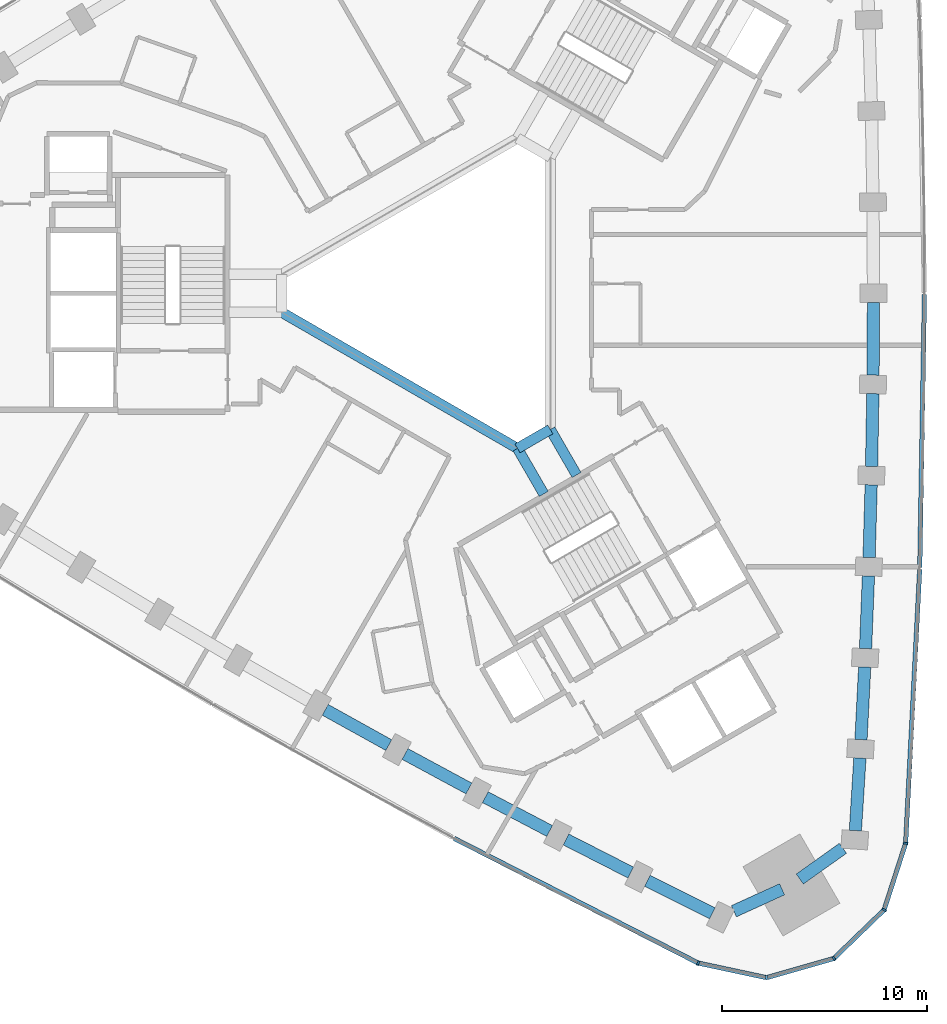
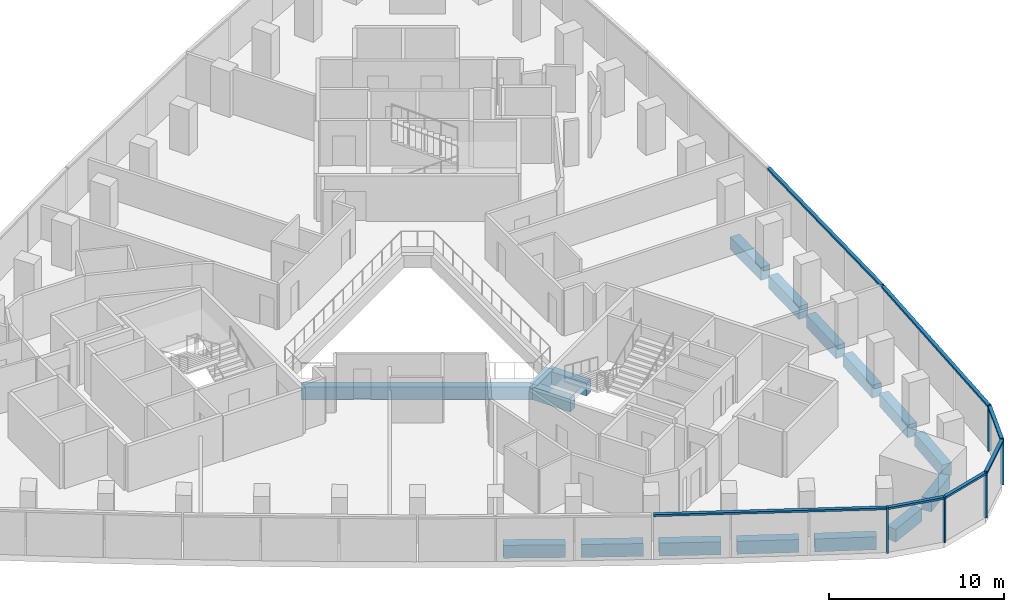
# One storey, part 3 of 12: 17 beams, 12 members, 2 elements without a shape of their own.
"""IFC4 building model written with IfcOpenShell, lengths in metres."""

import ifcopenshell
import ifcopenshell.guid

model = None  # the IFC model being written
_history = None  # IfcOwnerHistory: only IFC2X3 demands one
_inside = {}  # id of a spatial element -> (the spatial element, [elements in it])
_under = {}  # id of a project, library or spatial element -> (it, [spatial elements below it])
_declared = {}  # id of a project -> (the project, [libraries it declares])
_typed = {}  # id of a type object -> (the type object, [elements of that type])
_made_of = {}  # id of a material, layer set ... -> (it, [elements and type objects made of it])


def new_model(schema):
    """Start an empty IFC model of exactly this schema.

    Asked for "IFC4X3", IfcOpenShell would pick the latest addendum, in which some entities
    have other attributes; the version numbers below select the first issue.
    IFC2X3 requires an IfcOwnerHistory on every rooted entity: one is made here for all.
    """
    global model, _history
    if schema == "IFC4X3":
        model = ifcopenshell.file(schema_version=(4, 3, 0, 0))
    else:
        model = ifcopenshell.file(schema=schema)
    _inside.clear()
    _under.clear()
    _declared.clear()
    _typed.clear()
    _made_of.clear()
    _history = None
    if model.schema == "IFC2X3":
        org = make("IfcOrganization", Name="unknown")
        user = make(
            "IfcPersonAndOrganization",
            ThePerson=make("IfcPerson", FamilyName="unknown"),
            TheOrganization=org,
        )
        app = make(
            "IfcApplication",
            ApplicationDeveloper=org,
            Version="unknown",
            ApplicationFullName="unknown",
            ApplicationIdentifier="unknown",
        )
        _history = make(
            "IfcOwnerHistory",
            OwningUser=user,
            OwningApplication=app,
            ChangeAction="ADDED",
            CreationDate=0,
        )
    return model


def make(cls, **values):
    """One entity of the class cls with the attributes given. An attribute that is None is left unset."""
    return model.create_entity(
        cls, **{name: value for name, value in values.items() if value is not None}
    )


def rooted(cls, **values):
    """An entity with a GlobalId (a new one), such as an element, a storey or a relation."""
    return make(cls, GlobalId=ifcopenshell.guid.new(), OwnerHistory=_history, **values)


def si_unit(unit_type, name, prefix=None):
    """IfcSIUnit, for example si_unit("LENGTHUNIT", "METRE", prefix="MILLI")."""
    return make("IfcSIUnit", UnitType=unit_type, Prefix=prefix, Name=name)


def assignment(units):
    """IfcUnitAssignment: the units of a project."""
    return None if units is None else make("IfcUnitAssignment", Units=units)


def point(xyz):
    """IfcCartesianPoint."""
    return None if xyz is None else make("IfcCartesianPoint", Coordinates=xyz)


def direction(xyz):
    """IfcDirection."""
    return None if xyz is None else make("IfcDirection", DirectionRatios=xyz)


def frame(location, z_axis=None, x_axis=None):
    """IfcAxis2Placement3D, a coordinate frame: its origin and axes. An axis left out is left unset."""
    return make(
        "IfcAxis2Placement3D",
        Location=point(location),
        Axis=direction(z_axis),
        RefDirection=direction(x_axis),
    )


def frame_2d(location, x_axis=None):
    """IfcAxis2Placement2D, a coordinate frame in the plane: its origin and x axis."""
    return make(
        "IfcAxis2Placement2D", Location=point(location), RefDirection=direction(x_axis)
    )


def origin():
    """The frame at (0, 0, 0) with its axes left unset."""
    return frame((0.0, 0.0, 0.0))


def origin_2d():
    """The frame at (0, 0) in the plane with its x axis left unset."""
    return frame_2d((0.0, 0.0))


def place(relative_to, where):
    """IfcLocalPlacement: puts the frame where relative to a parent placement (None: the world)."""
    return make(
        "IfcLocalPlacement", PlacementRelTo=relative_to, RelativePlacement=where
    )


def context(
    kind, dimensions, precision=None, world=None, true_north=None, identifier=None
):
    """IfcGeometricRepresentationContext, for example the 3D "Model" context."""
    return make(
        "IfcGeometricRepresentationContext",
        ContextIdentifier=identifier,
        ContextType=kind,
        CoordinateSpaceDimension=dimensions,
        Precision=precision,
        WorldCoordinateSystem=world,
        TrueNorth=true_north,
    )


def subcontext(parent, identifier, kind, view, scale=None):
    """IfcGeometricRepresentationSubContext, for example "Body" below "Model"."""
    return make(
        "IfcGeometricRepresentationSubContext",
        ContextIdentifier=identifier,
        ContextType=kind,
        ParentContext=parent,
        TargetScale=scale,
        TargetView=view,
    )


def project(units=None, contexts=None):
    """IfcProject with its units and contexts."""
    return rooted(
        "IfcProject",
        Name="project",
        RepresentationContexts=contexts,
        UnitsInContext=assignment(units),
    )


def spatial(cls, under=None, at=None, **own):
    """A site, building, storey or space (cls), placed at a placement, below another one or the project."""
    s = rooted(cls, ObjectPlacement=at, **own)
    if under is not None:
        _under.setdefault(under.id(), (under, []))[1].append(s)
    return s


def profile(cls, at=None, kind="AREA", **sizes):
    """A parametric profile (cls). Its sizes go by their IFC names, for example OverallWidth=200.0."""
    return make(cls, ProfileType=kind, Position=at, **sizes)


def rectangle(**sizes):
    """IfcRectangleProfileDef."""
    return profile("IfcRectangleProfileDef", **sizes)


def extrude(swept, where, along, depth):
    """IfcExtrudedAreaSolid: the profile swept, set in the frame where, extruded along a direction by depth."""
    return make(
        "IfcExtrudedAreaSolid",
        SweptArea=swept,
        Position=where,
        ExtrudedDirection=direction(along),
        Depth=depth,
    )


def shape(context_of_items, identifier, shape_type, items):
    """IfcShapeRepresentation: the items that make up one representation, for example the "Body"."""
    return make(
        "IfcShapeRepresentation",
        ContextOfItems=context_of_items,
        RepresentationIdentifier=identifier,
        RepresentationType=shape_type,
        Items=items,
    )


def material(Name=None, Category=None):
    """IfcMaterial."""
    return make("IfcMaterial", Name=Name, Category=Category)


def material_profile(
    of_material, cross_section, Name=None, Category=None, Priority=None
):
    """IfcMaterialProfile: a cross section and its material."""
    return make(
        "IfcMaterialProfile",
        Name=Name,
        Material=of_material,
        Profile=cross_section,
        Priority=Priority,
        Category=Category,
    )


def profile_set(profiles, Name=None, composite=None):
    """IfcMaterialProfileSet."""
    return make(
        "IfcMaterialProfileSet",
        Name=Name,
        MaterialProfiles=profiles,
        CompositeProfile=composite,
    )


def made_of(thing, what):
    """Note that an element or type object is made of a material, layer set ...; save() writes the relation."""
    if what is not None:
        _made_of.setdefault(what.id(), (what, []))[1].append(thing)
    return thing


def type_object(cls, material=None, **own):
    """A type object (cls), such as IfcWallType, which elements share."""
    return made_of(rooted(cls, **own), material)


def element(
    cls,
    number,
    at=None,
    inside=None,
    cuts=None,
    type_object=None,
    material=None,
    context=None,
    identifier="Body",
    shape_type=None,
    held_by="IfcProductDefinitionShape",
    body=None,
    shapes=None,
    **own,
):
    """One element of the class cls, such as IfcWall. Its Tag is "e" and its number.

    at: its placement. inside: the storey or other place that contains it. cuts: it is an
    opening in that element (IfcRelVoidsElement). A single representation is given by context,
    identifier, shape_type and body (its items); several are given by shapes. held_by: the class
    of the entity that holds the representations. save() writes the other relations.
    """
    e = rooted(cls, Tag="e%d" % number, ObjectPlacement=at, **own)
    if body is not None:
        shapes = [shape(context, identifier, shape_type, body)]
    if shapes is not None:
        e.Representation = make(held_by, Representations=shapes)
    if inside is not None:
        _inside.setdefault(inside.id(), (inside, []))[1].append(e)
    if cuts is not None:
        rooted(
            "IfcRelVoidsElement", RelatingBuildingElement=cuts, RelatedOpeningElement=e
        )
    if type_object is not None:
        _typed.setdefault(type_object.id(), (type_object, []))[1].append(e)
    return made_of(e, material)


def aggregate(whole, parts):
    """IfcRelAggregates: a whole, such as a stair, and the parts it consists of."""
    return rooted("IfcRelAggregates", RelatingObject=whole, RelatedObjects=parts)


def save(model, path):
    """Write the relations noted so far, then the file.

    IfcRelAggregates (storeys below a building ...), IfcRelContainedInSpatialStructure (elements
    in a storey), IfcRelDefinesByType, IfcRelAssociatesMaterial and IfcRelDeclares: one each for
    every whole, place, type object, material and project.
    """
    for whole, parts in _under.values():
        aggregate(whole, parts)
    for where, things in _inside.values():
        rooted(
            "IfcRelContainedInSpatialStructure",
            RelatedElements=things,
            RelatingStructure=where,
        )
    for kind, things in _typed.values():
        rooted("IfcRelDefinesByType", RelatedObjects=things, RelatingType=kind)
    for what, things in _made_of.values():
        rooted("IfcRelAssociatesMaterial", RelatedObjects=things, RelatingMaterial=what)
    for by, libraries in _declared.values():
        rooted("IfcRelDeclares", RelatingContext=by, RelatedDefinitions=libraries)
    model.write(path)


model = new_model("IFC4")

# Units and contexts
model_context = context("Model", 3, precision=1e-05, world=origin(), true_north=direction((0.0, 1.0)))
body_context = subcontext(model_context, "Body", "Model", "MODEL_VIEW")
ifc_project = project(units=[si_unit("LENGTHUNIT", "METRE"), si_unit("AREAUNIT", "SQUARE_METRE"), si_unit("VOLUMEUNIT", "CUBIC_METRE"), si_unit("PLANEANGLEUNIT", "RADIAN"), si_unit("MASSUNIT", "GRAM", prefix="KILO")], contexts=[model_context])

# Site, building, storey
site_placement = place(None, origin())
site = spatial("IfcSite", under=ifc_project, at=site_placement, CompositionType="ELEMENT")
building_placement = place(site_placement, origin())
building = spatial("IfcBuilding", under=site, at=building_placement, Name="Tamra Quay Hotel Tower", CompositionType="ELEMENT")
storey_placement = place(building_placement, frame((0.0, 0.0, 93.800048828125)))
storey = spatial("IfcBuildingStorey", under=building, at=storey_placement, Name="L22", CompositionType="ELEMENT", Elevation=93.800048828125)

# Beams
ifc_material_1 = material(Name="Concrete M60", Category="concrete")
ifc_material_profile_1 = material_profile(ifc_material_1, rectangle(XDim=0.5, YDim=0.89990234375, at=origin_2d()), Name="ATRIUM EDGE BEAM RC 500x900")
ifc_profile_set_1 = profile_set([ifc_material_profile_1], Name="Concrete M60")
beam_type_1 = type_object("IfcBeamType", Name="ATRIUM EDGE BEAM RC 500x900", PredefinedType="BEAM", material=ifc_profile_set_1)
beam_1_placement = place(storey_placement, frame((4.89990234375, -6.639404296875, -0.875), z_axis=(-0.865989712182, -0.500061814573, 0.0), x_axis=(0.500061814573, -0.865989712182, 0.0)))
element("IfcBeam", 1, at=beam_1_placement, inside=storey, type_object=beam_type_1, Name="BM-AB1-L22", PredefinedType="BEAM", context=body_context, shape_type="SweptSolid", body=[
    extrude(rectangle(XDim=0.5, YDim=0.89990234375, at=origin_2d()), origin(), (0.0, 0.0, 1.0), 1.847412109375),
])
beam_2_placement = place(storey_placement, frame((3.300048828125, -7.563232421875, -0.875), z_axis=(-0.866029440693, 0.499993007805, 0.0), x_axis=(-0.499993007805, -0.866029440693, 0.0)))
element("IfcBeam", 2, at=beam_2_placement, inside=storey, type_object=beam_type_1, Name="BM-AB2-L22", PredefinedType="BEAM", context=body_context, shape_type="SweptSolid", body=[
    extrude(rectangle(XDim=0.5, YDim=0.89990234375, at=origin_2d()), origin(), (0.0, 0.0, 1.0), 13.279052734375),
])
ifc_material_profile_2 = material_profile(ifc_material_1, rectangle(XDim=0.5, YDim=0.89990234375, at=origin_2d()), Name="ATRIUM TIE BEAM RC 500x900")
ifc_profile_set_2 = profile_set([ifc_material_profile_2], Name="Concrete M60")
beam_type_2 = type_object("IfcBeamType", Name="ATRIUM TIE BEAM RC 500x900", PredefinedType="BEAM", material=ifc_profile_set_2)
for number, where, z_axis, x_axis, name in (
    (3, (4.89990234375, -6.639404296875, -0.875), (0.50003311468, -0.866006284171, 0.0), (0.866006284171, 0.50003311468, 0.0), "BM-TIE-1-L22"),
    (4, (3.300048828125, -7.563232421875, -0.875), (0.499961652204, -0.866047542763, 0.0), (0.866047542763, 0.499961652204, 0.0), "BM-TIE-2-L22"),
):
    element("IfcBeam", number, at=place(storey_placement, frame(where, z_axis=z_axis, x_axis=x_axis)), inside=storey, type_object=beam_type_2, Name=name, PredefinedType="BEAM", context=body_context, shape_type="SweptSolid", body=[
        extrude(rectangle(XDim=0.5, YDim=0.89990234375, at=origin_2d()), origin(), (0.0, 0.0, 1.0), 2.562255859375),
    ])

# Curtain wall, member
ifc_material_2 = material(Name="Aluminium 6063 anodised dark grey", Category="aluminium")
curtain_wall_type_1 = type_object("IfcCurtainWallType", Name="CW1 CURTAIN WALL", PredefinedType="NOTDEFINED", material=ifc_material_2)
curtain_wall_1_placement = place(storey_placement, origin())
curtain_wall_1 = element("IfcCurtainWall", 5, at=curtain_wall_1_placement, inside=storey, type_object=curtain_wall_type_1, Name="CW1 east face L22", PredefinedType="NOTDEFINED")
ifc_material_profile_3 = material_profile(ifc_material_2, rectangle(XDim=0.219970703125, YDim=0.10009765625, at=origin_2d()), Name="MULLION 100X220")
ifc_profile_set_3 = profile_set([ifc_material_profile_3], Name="Aluminium 6063 anodised dark grey")
member_type_1 = type_object("IfcMemberType", Name="MULLION CW1 Z2", PredefinedType="MULLION", material=ifc_profile_set_3)
member_1_placement = place(storey_placement, frame((22.226318359375, -26.81787109375, 0.0), z_axis=(0.0, 0.0, 1.0), x_axis=(0.982419091866, -0.186688853275, 0.0)))
member_1 = element("IfcMember", 6, at=member_1_placement, type_object=member_type_1, Name="CW1 mullion L22.E.1", PredefinedType="MULLION", context=body_context, shape_type="SweptSolid", body=[
    extrude(rectangle(XDim=0.219970703125, YDim=0.10009765625, at=origin_2d()), origin(), (0.0, 0.0, 1.0), 3.175048828125),
])

# Curtain wall, members
curtain_wall_type_2 = type_object("IfcCurtainWallType", Name="CW3 CURTAIN WALL", PredefinedType="NOTDEFINED", material=ifc_material_2)
curtain_wall_2_placement = place(storey_placement, origin())
curtain_wall_2 = element("IfcCurtainWall", 7, at=curtain_wall_2_placement, inside=storey, type_object=curtain_wall_type_2, Name="CW3 south-west face L22", PredefinedType="NOTDEFINED")
ifc_material_profile_4 = material_profile(ifc_material_2, rectangle(XDim=0.219970703125, YDim=0.10009765625, at=origin_2d()), Name="MULLION 100X220")
ifc_profile_set_4 = profile_set([ifc_material_profile_4], Name="Aluminium 6063 anodised dark grey")
member_type_2 = type_object("IfcMemberType", Name="MULLION CW3 Z2", PredefinedType="MULLION", material=ifc_profile_set_4)
member_2_placement = place(storey_placement, frame((12.111572265625, -32.657470703125, 0.0), z_axis=(0.0, 0.0, 1.0), x_axis=(-0.329532256394, -0.944144317356, 0.0)))
member_2 = element("IfcMember", 8, at=member_2_placement, type_object=member_type_2, Name="CW3 mullion L22.SW.13", PredefinedType="MULLION", context=body_context, shape_type="SweptSolid", body=[
    extrude(rectangle(XDim=0.219970703125, YDim=0.10009765625, at=origin_2d()), origin(), (0.0, 0.0, 1.0), 3.175048828125),
])
member_3_placement = place(storey_placement, frame((15.4462890625, -33.370849609375, 0.0), z_axis=(0.0, 0.0, 1.0), x_axis=(0.03404070031, -0.999420447421, 0.0)))
member_3 = element("IfcMember", 9, at=member_3_placement, type_object=member_type_2, Name="CW3 mullion L22.SW.14", PredefinedType="MULLION", context=body_context, shape_type="SweptSolid", body=[
    extrude(rectangle(XDim=0.219970703125, YDim=0.10009765625, at=origin_2d()), origin(), (0.0, 0.0, 1.0), 3.175048828125),
])
member_4_placement = place(storey_placement, frame((18.724853515625, -32.43212890625, 0.0), z_axis=(0.0, 0.0, 1.0), x_axis=(0.5, -0.866025403784, 0.0)))
member_4 = element("IfcMember", 10, at=member_4_placement, type_object=member_type_2, Name="CW3 mullion L22.SW.15", PredefinedType="MULLION", context=body_context, shape_type="SweptSolid", body=[
    extrude(rectangle(XDim=0.219970703125, YDim=0.10009765625, at=origin_2d()), origin(), (0.0, 0.0, 1.0), 3.175048828125),
])
member_5_placement = place(storey_placement, frame((21.1767578125, -30.062255859375, 0.0), z_axis=(0.0, 0.0, 1.0), x_axis=(0.848503146373, -0.529190334941, 0.0)))
member_5 = element("IfcMember", 11, at=member_5_placement, type_object=member_type_2, Name="CW3 mullion L22.SW.16", PredefinedType="MULLION", context=body_context, shape_type="SweptSolid", body=[
    extrude(rectangle(XDim=0.219970703125, YDim=0.10009765625, at=origin_2d()), origin(), (0.0, 0.0, 1.0), 3.175048828125),
])

# Beams
ifc_material_profile_5 = material_profile(ifc_material_1, rectangle(XDim=0.60009765625, YDim=0.89990234375, at=origin_2d()), Name="SPANDREL BEAM RC 600x900")
ifc_profile_set_5 = profile_set([ifc_material_profile_5], Name="Concrete M60")
beam_type_3 = type_object("IfcBeamType", Name="SPANDREL BEAM RC 600x900", PredefinedType="SPANDREL", material=ifc_profile_set_5)
beam_3_placement = place(storey_placement, frame((19.7744140625, -26.199462890625, -0.875), z_axis=(0.062669833409, 0.99803431403, 0.0), x_axis=(-0.99803431403, 0.062669833409, 0.0)))
element("IfcBeam", 12, at=beam_3_placement, inside=storey, type_object=beam_type_3, Name="BM-SP2-000-L22", PredefinedType="SPANDREL", context=body_context, shape_type="SweptSolid", body=[
    extrude(rectangle(XDim=0.60009765625, YDim=0.89990234375, at=origin_2d()), origin(), (0.0, 0.0, 1.0), 3.545166015625),
])
beam_4_placement = place(storey_placement, frame((20.048095703125, -21.7626953125, -0.875), z_axis=(0.051311627905, 0.998682690769, 0.0), x_axis=(-0.998682690769, 0.051311627905, 0.0)))
element("IfcBeam", 13, at=beam_4_placement, inside=storey, type_object=beam_type_3, Name="BM-SP2-001-L22", PredefinedType="SPANDREL", context=body_context, shape_type="SweptSolid", body=[
    extrude(rectangle(XDim=0.60009765625, YDim=0.89990234375, at=origin_2d()), origin(), (0.0, 0.0, 1.0), 3.544677734375),
])
for number, where, z_axis, x_axis, name in (
    (14, (20.27099609375, -17.323486328125, -0.875), (0.039946034354, 0.999201838639, 0.0), (-0.999201838639, 0.039946034354, 0.0), "BM-SP2-002-L22"),
    (15, (20.443359375, -12.882080078125, -0.875), (0.02858140136, 0.999591468299, 0.0), (-0.999591468299, 0.02858140136, 0.0), "BM-SP2-003-L22"),
):
    element("IfcBeam", number, at=place(storey_placement, frame(where, z_axis=z_axis, x_axis=x_axis)), inside=storey, type_object=beam_type_3, Name=name, PredefinedType="SPANDREL", context=body_context, shape_type="SweptSolid", body=[
        extrude(rectangle(XDim=0.60009765625, YDim=0.89990234375, at=origin_2d()), origin(), (0.0, 0.0, 1.0), 3.544921875),
    ])
beam_5_placement = place(storey_placement, frame((20.565185546875, -8.43896484375, -0.875), z_axis=(0.017149781635, 0.99985293168, 0.0), x_axis=(-0.99985293168, 0.017149781635, 0.0)))
element("IfcBeam", 16, at=beam_5_placement, inside=storey, type_object=beam_type_3, Name="BM-SP2-004-L22", PredefinedType="SPANDREL", context=body_context, shape_type="SweptSolid", body=[
    extrude(rectangle(XDim=0.60009765625, YDim=0.89990234375, at=origin_2d()), origin(), (0.0, 0.0, 1.0), 3.544677734375),
])
for number, where, z_axis, x_axis, name in (
    (17, (20.63623046875, -3.994873046875, -0.875), (0.005716160055, 0.999983662624, 0.0), (-0.999983662624, 0.005716160055, 0.0), "BM-SP2-005-L22"),
    (18, (-6.073974609375, -20.309814453125, -0.875), (0.874475461638, -0.48506975477, 0.0), (0.48506975477, 0.874475461638, 0.0), "BM-SP2-035-L22"),
    (19, (-2.184814453125, -22.46142578125, -0.875), (0.879950887438, -0.475064664753, 0.0), (0.475064664753, 0.879950887438, 0.0), "BM-SP2-036-L22"),
):
    element("IfcBeam", number, at=place(storey_placement, frame(where, z_axis=z_axis, x_axis=x_axis)), inside=storey, type_object=beam_type_3, Name=name, PredefinedType="SPANDREL", context=body_context, shape_type="SweptSolid", body=[
        extrude(rectangle(XDim=0.60009765625, YDim=0.89990234375, at=origin_2d()), origin(), (0.0, 0.0, 1.0), 3.544921875),
    ])
beam_6_placement = place(storey_placement, frame((1.72900390625, -24.568603515625, -0.875), z_axis=(0.885322773021, -0.464976975312, 0.0), x_axis=(0.464976975312, 0.885322773021, 0.0)))
element("IfcBeam", 20, at=beam_6_placement, inside=storey, type_object=beam_type_3, Name="BM-SP2-037-L22", PredefinedType="SPANDREL", context=body_context, shape_type="SweptSolid", body=[
    extrude(rectangle(XDim=0.60009765625, YDim=0.89990234375, at=origin_2d()), origin(), (0.0, 0.0, 1.0), 3.544677734375),
])
beam_7_placement = place(storey_placement, frame((5.666259765625, -26.630859375, -0.875), z_axis=(0.890551251107, -0.45488291807, 0.0), x_axis=(0.45488291807, 0.890551251107, 0.0)))
element("IfcBeam", 21, at=beam_7_placement, inside=storey, type_object=beam_type_3, Name="BM-SP2-038-L22", PredefinedType="SPANDREL", context=body_context, shape_type="SweptSolid", body=[
    extrude(rectangle(XDim=0.60009765625, YDim=0.89990234375, at=origin_2d()), origin(), (0.0, 0.0, 1.0), 3.544921875),
])
beam_8_placement = place(storey_placement, frame((9.626953125, -28.648193359375, -0.875), z_axis=(0.895622275285, -0.444815399928, 0.0), x_axis=(0.444815399928, 0.895622275285, 0.0)))
element("IfcBeam", 22, at=beam_8_placement, inside=storey, type_object=beam_type_3, Name="BM-SP2-039-L22", PredefinedType="SPANDREL", context=body_context, shape_type="SweptSolid", body=[
    extrude(rectangle(XDim=0.60009765625, YDim=0.89990234375, at=origin_2d()), origin(), (0.0, 0.0, 1.0), 3.545166015625),
])
for number, where, z_axis, x_axis, name in (
    (23, (13.8505859375, -30.130615234375, -0.875), (0.909819048293, 0.415005179923, 0.0), (-0.415005179923, 0.909819048293, 0.0), "BM-SP2-040-L22"),
    (24, (17.063720703125, -28.560546875, -0.875), (0.814339289036, 0.580389112865, 0.0), (-0.580389112865, 0.814339289036, 0.0), "BM-SP2-041-L22"),
):
    element("IfcBeam", number, at=place(storey_placement, frame(where, z_axis=z_axis, x_axis=x_axis)), inside=storey, type_object=beam_type_3, Name=name, PredefinedType="SPANDREL", context=body_context, shape_type="SweptSolid", body=[
        extrude(rectangle(XDim=0.60009765625, YDim=0.89990234375, at=origin_2d()), origin(), (0.0, 0.0, 1.0), 2.5849609375),
    ])

# Member
ifc_material_profile_6 = material_profile(ifc_material_2, rectangle(XDim=0.219970703125, YDim=0.139892578125, at=origin_2d()), Name="TRANSOM 220X140")
ifc_profile_set_6 = profile_set([ifc_material_profile_6], Name="Aluminium 6063 anodised dark grey")
member_type_3 = type_object("IfcMemberType", Name="TRANSOM CW1 Z2", PredefinedType="USERDEFINED", material=ifc_profile_set_6)
member_6_placement = place(storey_placement, frame((22.2294921875, -26.767822265625, 3.10498046875), z_axis=(0.051309919366, 0.998682778551, 0.0), x_axis=(-0.998682778551, 0.051309919366, 0.0)))
member_6 = element("IfcMember", 25, at=member_6_placement, type_object=member_type_3, Name="CW1 transom L22.E.1", ObjectType="TRANSOM", PredefinedType="USERDEFINED", context=body_context, shape_type="SweptSolid", body=[
    extrude(rectangle(XDim=0.219970703125, YDim=0.139892578125, at=origin_2d()), origin(), (0.0, 0.0, 1.0), 13.318115234375),
])

member_7_placement = place(storey_placement, frame((22.916259765625, -13.3671875, 3.10498046875), z_axis=(0.017138663343, 0.999853122323, 0.0), x_axis=(-0.999853122323, 0.017138663343, 0.0)))
member_7 = element("IfcMember", 26, at=member_7_placement, type_object=member_type_3, Name="CW1 transom L22.E.4", ObjectType="TRANSOM", PredefinedType="USERDEFINED", context=body_context, shape_type="SweptSolid", body=[
    extrude(rectangle(XDim=0.219970703125, YDim=0.139892578125, at=origin_2d()), origin(), (0.0, 0.0, 1.0), 13.319091796875),
])

aggregate(curtain_wall_1, [member_1, member_6, member_7])

ifc_material_profile_7 = material_profile(ifc_material_2, rectangle(XDim=0.219970703125, YDim=0.139892578125, at=origin_2d()), Name="TRANSOM 220X140")
ifc_profile_set_7 = profile_set([ifc_material_profile_7], Name="Aluminium 6063 anodised dark grey")
member_type_4 = type_object("IfcMemberType", Name="TRANSOM CW3 Z2", PredefinedType="USERDEFINED", material=ifc_profile_set_7)
member_8_placement = place(storey_placement, frame((0.20654296875, -26.57666015625, 3.10498046875), z_axis=(0.890537010915, -0.45491079586, 0.0), x_axis=(0.45491079586, 0.890537010915, 0.0)))
member_8 = element("IfcMember", 27, at=member_8_placement, type_object=member_type_4, Name="CW3 transom L22.SW.10", ObjectType="TRANSOM", PredefinedType="USERDEFINED", context=body_context, shape_type="SweptSolid", body=[
    extrude(rectangle(XDim=0.219970703125, YDim=0.139892578125, at=origin_2d()), origin(), (0.0, 0.0, 1.0), 13.318115234375),
])

member_9_placement = place(storey_placement, frame((12.16064453125, -32.66796875, 3.10498046875), z_axis=(0.977877907042, -0.209176477928, 0.0), x_axis=(0.209176477928, 0.977877907042, 0.0)))
member_9 = element("IfcMember", 28, at=member_9_placement, type_object=member_type_4, Name="CW3 transom L22.SW.13", ObjectType="TRANSOM", PredefinedType="USERDEFINED", context=body_context, shape_type="SweptSolid", body=[
    extrude(rectangle(XDim=0.219970703125, YDim=0.139892578125, at=origin_2d()), origin(), (0.0, 0.0, 1.0), 3.31005859375),
])

member_10_placement = place(storey_placement, frame((15.494384765625, -33.35693359375, 3.10498046875), z_axis=(0.961393028347, 0.275178932778, 0.0), x_axis=(-0.275178932778, 0.961393028347, 0.0)))
member_10 = element("IfcMember", 29, at=member_10_placement, type_object=member_type_4, Name="CW3 transom L22.SW.14", ObjectType="TRANSOM", PredefinedType="USERDEFINED", context=body_context, shape_type="SweptSolid", body=[
    extrude(rectangle(XDim=0.219970703125, YDim=0.139892578125, at=origin_2d()), origin(), (0.0, 0.0, 1.0), 3.31005859375),
])

member_11_placement = place(storey_placement, frame((18.7607421875, -32.3974609375, 3.10498046875), z_axis=(0.719063315741, 0.694944564664, 0.0), x_axis=(-0.694944564664, 0.719063315741, 0.0)))
member_11 = element("IfcMember", 30, at=member_11_placement, type_object=member_type_4, Name="CW3 transom L22.SW.15", ObjectType="TRANSOM", PredefinedType="USERDEFINED", context=body_context, shape_type="SweptSolid", body=[
    extrude(rectangle(XDim=0.219970703125, YDim=0.139892578125, at=origin_2d()), origin(), (0.0, 0.0, 1.0), 3.31005859375),
])

member_12_placement = place(storey_placement, frame((21.192138671875, -30.0146484375, 3.10498046875), z_axis=(0.307784937637, 0.951455953875, 0.0), x_axis=(-0.951455953875, 0.307784937637, 0.0)))
member_12 = element("IfcMember", 31, at=member_12_placement, type_object=member_type_4, Name="CW3 transom L22.SW.16", ObjectType="TRANSOM", PredefinedType="USERDEFINED", context=body_context, shape_type="SweptSolid", body=[
    extrude(rectangle(XDim=0.219970703125, YDim=0.139892578125, at=origin_2d()), origin(), (0.0, 0.0, 1.0), 3.31005859375),
])

aggregate(curtain_wall_2, [member_8, member_2, member_9, member_3, member_10, member_4, member_11, member_5, member_12])

save(model, "model.ifc")
